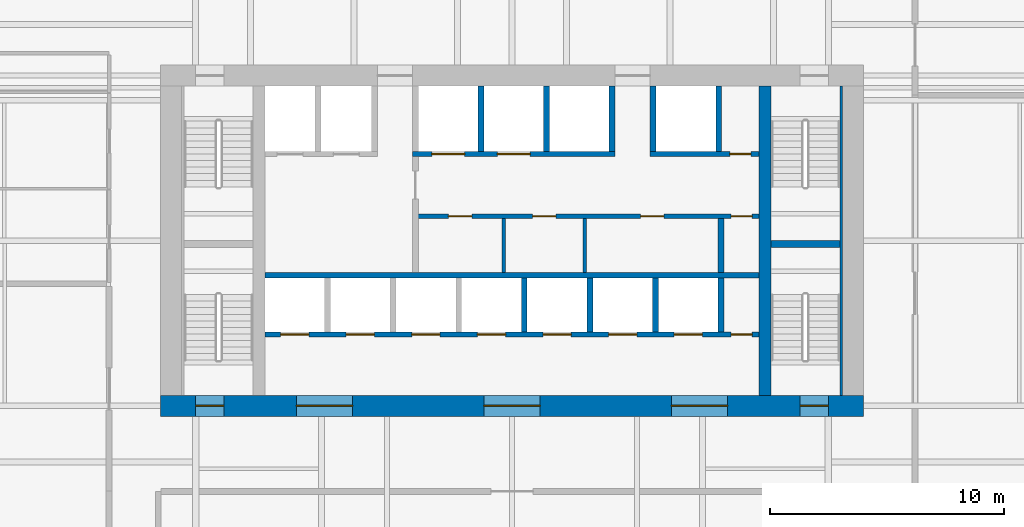
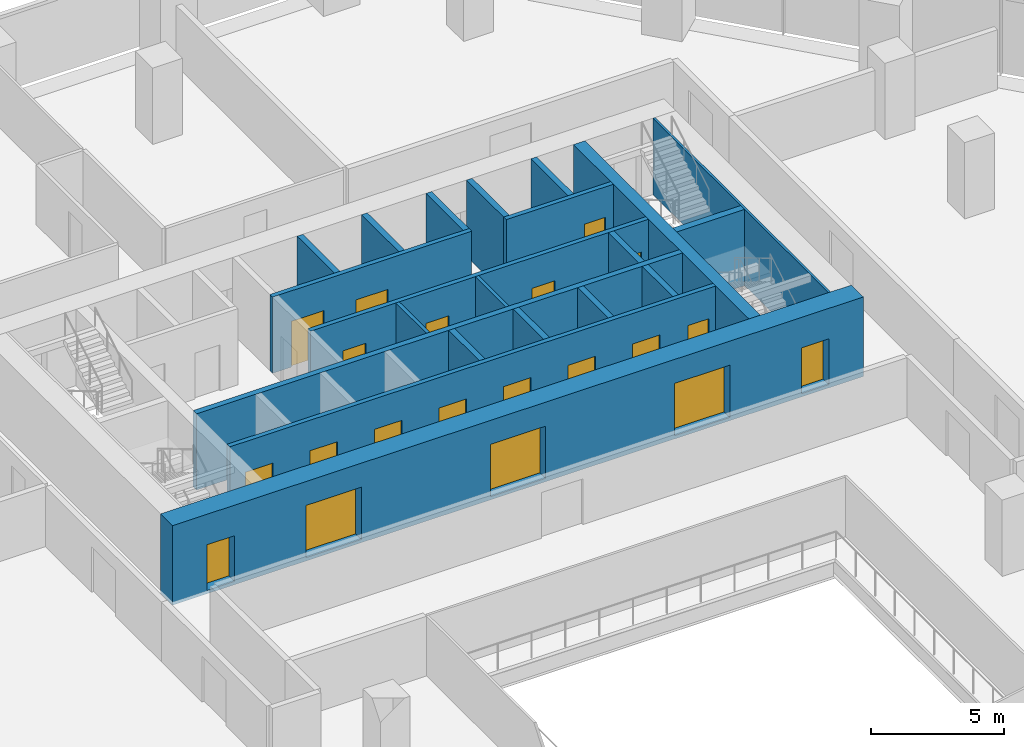
# One storey, part 15 of 19: 21 walls, 20 doors, 20 openings.
"""IFC4 building model written with IfcOpenShell, lengths in metres."""

from ifc_helpers import new_model, si_unit, direction, frame, frame_2d, origin, place, context, subcontext, project, spatial, rectangle, extrude, material, layer, layer_set, type_object, element, fill, save


model = new_model("IFC4")

# Units and contexts
model_context = context("Model", 3, precision=1e-05, world=origin(), true_north=direction((0.0, 1.0)))
body_context = subcontext(model_context, "Body", "Model", "MODEL_VIEW")
ifc_project = project(units=[si_unit("LENGTHUNIT", "METRE"), si_unit("AREAUNIT", "SQUARE_METRE"), si_unit("VOLUMEUNIT", "CUBIC_METRE"), si_unit("PLANEANGLEUNIT", "RADIAN"), si_unit("MASSUNIT", "GRAM", prefix="KILO")], contexts=[model_context])

# Site, building, storey
site_placement = place(None, origin())
site = spatial("IfcSite", under=ifc_project, at=site_placement, CompositionType="ELEMENT")
building_placement = place(site_placement, origin())
building = spatial("IfcBuilding", under=site, at=building_placement, Name="Isthmus Gate Tower", CompositionType="ELEMENT")
storey_placement = place(building_placement, frame((0.0, 0.0, 95.25)))
storey = spatial("IfcBuildingStorey", under=building, at=storey_placement, Name="L22", CompositionType="ELEMENT", Elevation=95.25)

# Wall
ifc_material_1 = material(Name="Concrete f'c 70 MPa", Category="concrete")
ifc_layer_1 = layer(ifc_material_1, 0.5)
ifc_layer_set_1 = layer_set([ifc_layer_1], Name="RC CORE SPINE WALL 500 F'C 70")
wall_type_1 = type_object("IfcWallType", Name="RC CORE SPINE WALL 500 F'C 70", PredefinedType="SOLIDWALL", material=ifc_layer_set_1)
wall_1_placement = place(storey_placement, frame((10.800048828125, 0.89990234375, -0.14990234375), z_axis=(0.0, 0.0, 1.0), x_axis=(0.0, 1.0, 0.0)))
element("IfcWall", 1, at=wall_1_placement, inside=storey, type_object=wall_type_1, Name="str-corewall-L22-SPE", PredefinedType="SOLIDWALL", context=body_context, shape_type="SweptSolid", body=[
    extrude(rectangle(XDim=13.2001953125, YDim=0.5, at=frame_2d((6.60009765625, 0.0))), origin(), (0.0, 0.0, 1.0), 3.64990234375),
])

# Wall, openings, doors
ifc_material_2 = material(Name="Concrete f'c 70 MPa", Category="concrete")
ifc_layer_2 = layer(ifc_material_2, 0.89990234375)
ifc_layer_set_2 = layer_set([ifc_layer_2], Name="RC CORE WALL 900 F'C 70")
wall_type_2 = type_object("IfcWallType", Name="RC CORE WALL 900 F'C 70", PredefinedType="SOLIDWALL", material=ifc_layer_set_2)
wall_2_placement = place(storey_placement, frame((-15.0, 0.449951171875, -0.14990234375), z_axis=(0.0, 0.0, 1.0), x_axis=(1.0, 0.0, 0.0)))
wall_2 = element("IfcWall", 2, at=wall_2_placement, inside=storey, type_object=wall_type_2, Name="str-corewall-L22-S", PredefinedType="SOLIDWALL", context=body_context, shape_type="SweptSolid", body=[
    extrude(rectangle(XDim=30.0, YDim=0.89990234375, at=frame_2d((15.0, 0.0))), origin(), (0.0, 0.0, 1.0), 3.64990234375),
])
opening_1_placement = place(wall_2_placement, frame((5.800048828125, 0.0, 0.14990234375)))
opening_1 = element("IfcOpeningElement", 3, at=opening_1_placement, cuts=wall_2, Name="Opening DC-A03-08", PredefinedType="OPENING", context=body_context, shape_type="SweptSolid", body=[
    extrude(rectangle(XDim=2.39990234375, YDim=2.39990234375, at=frame_2d((1.199951171875, 1.199951171875))), frame((0.0, 0.4599609375, 0.0), z_axis=(0.0, -1.0, 0.0), x_axis=(1.0, 0.0, 0.0)), (0.0, 0.0, 1.0), 0.919921875),
])
opening_2_placement = place(wall_2_placement, frame((13.800048828125, 0.0, 0.14990234375)))
opening_2 = element("IfcOpeningElement", 4, at=opening_2_placement, cuts=wall_2, Name="Opening DC-A03-09", PredefinedType="OPENING", context=body_context, shape_type="SweptSolid", body=[
    extrude(rectangle(XDim=2.39990234375, YDim=2.39990234375, at=frame_2d((1.199951171875, 1.199951171875))), frame((0.0, 0.4599609375, 0.0), z_axis=(0.0, -1.0, 0.0), x_axis=(1.0, 0.0, 0.0)), (0.0, 0.0, 1.0), 0.919921875),
])
opening_3_placement = place(wall_2_placement, frame((21.800048828125, 0.0, 0.14990234375)))
opening_3 = element("IfcOpeningElement", 5, at=opening_3_placement, cuts=wall_2, Name="Opening DC-A03-10", PredefinedType="OPENING", context=body_context, shape_type="SweptSolid", body=[
    extrude(rectangle(XDim=2.39990234375, YDim=2.39990234375, at=frame_2d((1.199951171875, 1.199951171875))), frame((0.0, 0.4599609375, 0.0), z_axis=(0.0, -1.0, 0.0), x_axis=(1.0, 0.0, 0.0)), (0.0, 0.0, 1.0), 0.919921875),
])
opening_4_placement = place(wall_2_placement, frame((1.5, 0.0, 0.14990234375)))
opening_4 = element("IfcOpeningElement", 6, at=opening_4_placement, cuts=wall_2, Name="Opening DC-A03-15", PredefinedType="OPENING", context=body_context, shape_type="SweptSolid", body=[
    extrude(rectangle(XDim=1.199951171875, YDim=2.10009765625, at=frame_2d((0.60009765625, 1.050048828125))), frame((0.0, 0.4599609375, 0.0), z_axis=(0.0, -1.0, 0.0), x_axis=(1.0, 0.0, 0.0)), (0.0, 0.0, 1.0), 0.919921875),
])
opening_5_placement = place(wall_2_placement, frame((27.300048828125, 0.0, 0.14990234375)))
opening_5 = element("IfcOpeningElement", 7, at=opening_5_placement, cuts=wall_2, Name="Opening DC-A03-16", PredefinedType="OPENING", context=body_context, shape_type="SweptSolid", body=[
    extrude(rectangle(XDim=1.199951171875, YDim=2.10009765625, at=frame_2d((0.60009765625, 1.050048828125))), frame((0.0, 0.4599609375, 0.0), z_axis=(0.0, -1.0, 0.0), x_axis=(1.0, 0.0, 0.0)), (0.0, 0.0, 1.0), 0.919921875),
])
ifc_material_3 = material(Name="Laminated safety glass in steel frame, fire-rated", Category="steel")
door_type_1 = type_object("IfcDoorType", Name="LOBBY ENTRANCE FIRE DOOR 2400 X 2400 60 MIN", OperationType="DOUBLE_DOOR_DOUBLE_SWING", PredefinedType="DOOR", material=ifc_material_3)
door_1_placement = place(opening_1_placement, origin())
door_1 = element("IfcDoor", 8, at=door_1_placement, inside=storey, type_object=door_type_1, Name="Lobby Entrance PS-W", OperationType="DOUBLE_DOOR_DOUBLE_SWING", OverallHeight=2.39990234375, OverallWidth=2.39990234375, PredefinedType="DOOR", context=body_context, shape_type="SweptSolid", body=[
    extrude(rectangle(XDim=2.39990234375, YDim=2.39990234375, at=frame_2d((1.199951171875, 1.199951171875))), frame((0.0, 0.02490234375, 0.0), z_axis=(0.0, -1.0, 0.0), x_axis=(1.0, 0.0, 0.0)), (0.0, 0.0, 1.0), 0.050048828125),
])
fill(opening_1, door_1)
door_2_placement = place(opening_2_placement, origin())
door_2 = element("IfcDoor", 9, at=door_2_placement, inside=storey, type_object=door_type_1, Name="Lobby Entrance PS-C", OperationType="DOUBLE_DOOR_DOUBLE_SWING", OverallHeight=2.39990234375, OverallWidth=2.39990234375, PredefinedType="DOOR", context=body_context, shape_type="SweptSolid", body=[
    extrude(rectangle(XDim=2.39990234375, YDim=2.39990234375, at=frame_2d((1.199951171875, 1.199951171875))), frame((0.0, 0.02490234375, 0.0), z_axis=(0.0, -1.0, 0.0), x_axis=(1.0, 0.0, 0.0)), (0.0, 0.0, 1.0), 0.050048828125),
])
fill(opening_2, door_2)
door_3_placement = place(opening_3_placement, origin())
door_3 = element("IfcDoor", 10, at=door_3_placement, inside=storey, type_object=door_type_1, Name="Lobby Entrance PS-E", OperationType="DOUBLE_DOOR_DOUBLE_SWING", OverallHeight=2.39990234375, OverallWidth=2.39990234375, PredefinedType="DOOR", context=body_context, shape_type="SweptSolid", body=[
    extrude(rectangle(XDim=2.39990234375, YDim=2.39990234375, at=frame_2d((1.199951171875, 1.199951171875))), frame((0.0, 0.02490234375, 0.0), z_axis=(0.0, -1.0, 0.0), x_axis=(1.0, 0.0, 0.0)), (0.0, 0.0, 1.0), 0.050048828125),
])
fill(opening_3, door_3)
ifc_material_4 = material(Name="Steel door leaf, fire-rated", Category="steel")
door_type_2 = type_object("IfcDoorType", Name="STAIR FIRE DOOR 1200 X 2100 90 MIN", OperationType="SINGLE_SWING_LEFT", PredefinedType="DOOR", material=ifc_material_4)
door_4_placement = place(opening_4_placement, origin())
door_4 = element("IfcDoor", 11, at=door_4_placement, inside=storey, type_object=door_type_2, Name="Exit Stair 7 Door", OperationType="SINGLE_SWING_LEFT", OverallHeight=2.10009765625, OverallWidth=1.199951171875, PredefinedType="DOOR", context=body_context, shape_type="SweptSolid", body=[
    extrude(rectangle(XDim=1.199951171875, YDim=2.10009765625, at=frame_2d((0.60009765625, 1.050048828125))), frame((0.0, 0.02490234375, 0.0), z_axis=(0.0, -1.0, 0.0), x_axis=(1.0, 0.0, 0.0)), (0.0, 0.0, 1.0), 0.050048828125),
])
fill(opening_4, door_4)
door_5_placement = place(opening_5_placement, origin())
door_5 = element("IfcDoor", 12, at=door_5_placement, inside=storey, type_object=door_type_2, Name="Exit Stair 8 Door", OperationType="SINGLE_SWING_RIGHT", OverallHeight=2.10009765625, OverallWidth=1.199951171875, PredefinedType="DOOR", context=body_context, shape_type="SweptSolid", body=[
    extrude(rectangle(XDim=1.199951171875, YDim=2.10009765625, at=frame_2d((0.60009765625, 1.050048828125))), frame((0.0, 0.02490234375, 0.0), z_axis=(0.0, -1.0, 0.0), x_axis=(1.0, 0.0, 0.0)), (0.0, 0.0, 1.0), 0.050048828125),
])
fill(opening_5, door_5)

# Walls
ifc_material_5 = material(Name="Gypsum board on steel studs, fire-rated", Category="steel")
ifc_layer_3 = layer(ifc_material_5, 0.14990234375)
ifc_layer_set_3 = layer_set([ifc_layer_3], Name="ROOM PARTITION 150 60 MIN")
wall_type_3 = type_object("IfcWallType", Name="ROOM PARTITION 150 60 MIN", PredefinedType="PARTITIONING", material=ifc_layer_set_3)
for number, where, z_axis, x_axis, name in (
    (13, (-0.35009765625, 6.14990234375, 0.0), (0.0, 0.0, 1.0), (0.0, 1.0, 0.0), "L22 ROOM PARTITION 150 60 MIN"),
    (14, (3.10009765625, 6.14990234375, 0.0), (0.0, 0.0, 1.0), (0.0, 1.0, 0.0), "L22 ROOM PARTITION 150 60 MIN"),
):
    element("IfcWall", number, at=place(storey_placement, frame(where, z_axis=z_axis, x_axis=x_axis)), inside=storey, type_object=wall_type_3, Name=name, PredefinedType="PARTITIONING", context=body_context, shape_type="SweptSolid", body=[
        extrude(rectangle(XDim=2.300048828125, YDim=0.14990234375, at=frame_2d((1.14990234375, 0.0))), origin(), (0.0, 0.0, 1.0), 3.5),
    ])

# Wall, openings, doors
ifc_material_6 = material(Name="Fire-rated blockwork masonry, 15 MPa", Category="masonry")
ifc_layer_4 = layer(ifc_material_6, 0.199951171875)
ifc_layer_set_4 = layer_set([ifc_layer_4], Name="SHAFT FRONT WALL 200 120 MIN")
wall_type_4 = type_object("IfcWallType", Name="SHAFT FRONT WALL 200 120 MIN", PredefinedType="PARTITIONING", material=ifc_layer_set_4)
wall_3_placement = place(storey_placement, frame((-10.550048828125, 3.5, 0.0), z_axis=(0.0, 0.0, 1.0), x_axis=(1.0, 0.0, 0.0)))
wall_3 = element("IfcWall", 15, at=wall_3_placement, inside=storey, type_object=wall_type_4, Name="L22 SHAFT FRONT WALL 200 120 MIN", PredefinedType="PARTITIONING", context=body_context, shape_type="SweptSolid", body=[
    extrude(rectangle(XDim=21.10009765625, YDim=0.199951171875, at=frame_2d((10.550048828125, 0.0))), origin(), (0.0, 0.0, 1.0), 3.5),
])
opening_6_placement = place(wall_3_placement, frame((0.675048828125, 0.0, 0.0)))
opening_6 = element("IfcOpeningElement", 16, at=opening_6_placement, cuts=wall_3, Name="Opening LD-LA1", PredefinedType="OPENING", context=body_context, shape_type="SweptSolid", body=[
    extrude(rectangle(XDim=1.199951171875, YDim=2.10009765625, at=frame_2d((0.60009765625, 1.050048828125))), frame((0.0, 0.10986328125, 0.0), z_axis=(0.0, -1.0, 0.0), x_axis=(1.0, 0.0, 0.0)), (0.0, 0.0, 1.0), 0.219970703125),
])
opening_7_placement = place(wall_3_placement, frame((3.47509765625, 0.0, 0.0)))
opening_7 = element("IfcOpeningElement", 17, at=opening_7_placement, cuts=wall_3, Name="Opening LD-LA2", PredefinedType="OPENING", context=body_context, shape_type="SweptSolid", body=[
    extrude(rectangle(XDim=1.199951171875, YDim=2.10009765625, at=frame_2d((0.60009765625, 1.050048828125))), frame((0.0, 0.10986328125, 0.0), z_axis=(0.0, -1.0, 0.0), x_axis=(1.0, 0.0, 0.0)), (0.0, 0.0, 1.0), 0.219970703125),
])
opening_8_placement = place(wall_3_placement, frame((6.27490234375, 0.0, 0.0)))
opening_8 = element("IfcOpeningElement", 18, at=opening_8_placement, cuts=wall_3, Name="Opening LD-LA3", PredefinedType="OPENING", context=body_context, shape_type="SweptSolid", body=[
    extrude(rectangle(XDim=1.199951171875, YDim=2.10009765625, at=frame_2d((0.60009765625, 1.050048828125))), frame((0.0, 0.10986328125, 0.0), z_axis=(0.0, -1.0, 0.0), x_axis=(1.0, 0.0, 0.0)), (0.0, 0.0, 1.0), 0.219970703125),
])
opening_9_placement = place(wall_3_placement, frame((9.074951171875, 0.0, 0.0)))
opening_9 = element("IfcOpeningElement", 19, at=opening_9_placement, cuts=wall_3, Name="Opening LD-LA4", PredefinedType="OPENING", context=body_context, shape_type="SweptSolid", body=[
    extrude(rectangle(XDim=1.199951171875, YDim=2.10009765625, at=frame_2d((0.60009765625, 1.050048828125))), frame((0.0, 0.10986328125, 0.0), z_axis=(0.0, -1.0, 0.0), x_axis=(1.0, 0.0, 0.0)), (0.0, 0.0, 1.0), 0.219970703125),
])
opening_10_placement = place(wall_3_placement, frame((11.875, 0.0, 0.0)))
opening_10 = element("IfcOpeningElement", 20, at=opening_10_placement, cuts=wall_3, Name="Opening LD-LA5", PredefinedType="OPENING", context=body_context, shape_type="SweptSolid", body=[
    extrude(rectangle(XDim=1.199951171875, YDim=2.10009765625, at=frame_2d((0.60009765625, 1.050048828125))), frame((0.0, 0.10986328125, 0.0), z_axis=(0.0, -1.0, 0.0), x_axis=(1.0, 0.0, 0.0)), (0.0, 0.0, 1.0), 0.219970703125),
])
opening_11_placement = place(wall_3_placement, frame((14.675048828125, 0.0, 0.0)))
opening_11 = element("IfcOpeningElement", 21, at=opening_11_placement, cuts=wall_3, Name="Opening LD-LA6", PredefinedType="OPENING", context=body_context, shape_type="SweptSolid", body=[
    extrude(rectangle(XDim=1.199951171875, YDim=2.10009765625, at=frame_2d((0.60009765625, 1.050048828125))), frame((0.0, 0.10986328125, 0.0), z_axis=(0.0, -1.0, 0.0), x_axis=(1.0, 0.0, 0.0)), (0.0, 0.0, 1.0), 0.219970703125),
])
opening_12_placement = place(wall_3_placement, frame((17.47509765625, 0.0, 0.0)))
opening_12 = element("IfcOpeningElement", 22, at=opening_12_placement, cuts=wall_3, Name="Opening LD-LA7", PredefinedType="OPENING", context=body_context, shape_type="SweptSolid", body=[
    extrude(rectangle(XDim=1.199951171875, YDim=2.10009765625, at=frame_2d((0.60009765625, 1.050048828125))), frame((0.0, 0.10986328125, 0.0), z_axis=(0.0, -1.0, 0.0), x_axis=(1.0, 0.0, 0.0)), (0.0, 0.0, 1.0), 0.219970703125),
])
opening_13_placement = place(wall_3_placement, frame((19.89990234375, 0.0, 0.0)))
opening_13 = element("IfcOpeningElement", 23, at=opening_13_placement, cuts=wall_3, Name="Opening DC-A03-02", PredefinedType="OPENING", context=body_context, shape_type="SweptSolid", body=[
    extrude(rectangle(XDim=0.89990234375, YDim=2.10009765625, at=frame_2d((0.449951171875, 1.050048828125))), frame((0.0, 0.10986328125, 0.0), z_axis=(0.0, -1.0, 0.0), x_axis=(1.0, 0.0, 0.0)), (0.0, 0.0, 1.0), 0.219970703125),
])
ifc_material_7 = material(Name="Stainless steel sliding leaf", Category="steel")
door_type_3 = type_object("IfcDoorType", Name="LIFT LANDING FIRE DOOR 1200 X 2100 90 MIN", OperationType="DOUBLE_DOOR_SLIDING", PredefinedType="DOOR", material=ifc_material_7)
door_6_placement = place(opening_6_placement, origin())
door_6 = element("IfcDoor", 24, at=door_6_placement, inside=storey, type_object=door_type_3, Name="Lift Landing Door LA1", OperationType="DOUBLE_DOOR_SLIDING", OverallHeight=2.10009765625, OverallWidth=1.199951171875, PredefinedType="DOOR", context=body_context, shape_type="SweptSolid", body=[
    extrude(rectangle(XDim=1.199951171875, YDim=2.10009765625, at=frame_2d((0.60009765625, 1.050048828125))), frame((0.0, 0.02490234375, 0.0), z_axis=(0.0, -1.0, 0.0), x_axis=(1.0, 0.0, 0.0)), (0.0, 0.0, 1.0), 0.050048828125),
])
fill(opening_6, door_6)
door_7_placement = place(opening_7_placement, origin())
door_7 = element("IfcDoor", 25, at=door_7_placement, inside=storey, type_object=door_type_3, Name="Lift Landing Door LA2", OperationType="DOUBLE_DOOR_SLIDING", OverallHeight=2.10009765625, OverallWidth=1.199951171875, PredefinedType="DOOR", context=body_context, shape_type="SweptSolid", body=[
    extrude(rectangle(XDim=1.199951171875, YDim=2.10009765625, at=frame_2d((0.60009765625, 1.050048828125))), frame((0.0, 0.02490234375, 0.0), z_axis=(0.0, -1.0, 0.0), x_axis=(1.0, 0.0, 0.0)), (0.0, 0.0, 1.0), 0.050048828125),
])
fill(opening_7, door_7)
door_8_placement = place(opening_8_placement, origin())
door_8 = element("IfcDoor", 26, at=door_8_placement, inside=storey, type_object=door_type_3, Name="Lift Landing Door LA3", OperationType="DOUBLE_DOOR_SLIDING", OverallHeight=2.10009765625, OverallWidth=1.199951171875, PredefinedType="DOOR", context=body_context, shape_type="SweptSolid", body=[
    extrude(rectangle(XDim=1.199951171875, YDim=2.10009765625, at=frame_2d((0.60009765625, 1.050048828125))), frame((0.0, 0.02490234375, 0.0), z_axis=(0.0, -1.0, 0.0), x_axis=(1.0, 0.0, 0.0)), (0.0, 0.0, 1.0), 0.050048828125),
])
fill(opening_8, door_8)
door_9_placement = place(opening_9_placement, origin())
door_9 = element("IfcDoor", 27, at=door_9_placement, inside=storey, type_object=door_type_3, Name="Lift Landing Door LA4", OperationType="DOUBLE_DOOR_SLIDING", OverallHeight=2.10009765625, OverallWidth=1.199951171875, PredefinedType="DOOR", context=body_context, shape_type="SweptSolid", body=[
    extrude(rectangle(XDim=1.199951171875, YDim=2.10009765625, at=frame_2d((0.60009765625, 1.050048828125))), frame((0.0, 0.02490234375, 0.0), z_axis=(0.0, -1.0, 0.0), x_axis=(1.0, 0.0, 0.0)), (0.0, 0.0, 1.0), 0.050048828125),
])
fill(opening_9, door_9)
door_10_placement = place(opening_10_placement, origin())
door_10 = element("IfcDoor", 28, at=door_10_placement, inside=storey, type_object=door_type_3, Name="Lift Landing Door LA5", OperationType="DOUBLE_DOOR_SLIDING", OverallHeight=2.10009765625, OverallWidth=1.199951171875, PredefinedType="DOOR", context=body_context, shape_type="SweptSolid", body=[
    extrude(rectangle(XDim=1.199951171875, YDim=2.10009765625, at=frame_2d((0.60009765625, 1.050048828125))), frame((0.0, 0.02490234375, 0.0), z_axis=(0.0, -1.0, 0.0), x_axis=(1.0, 0.0, 0.0)), (0.0, 0.0, 1.0), 0.050048828125),
])
fill(opening_10, door_10)
door_11_placement = place(opening_11_placement, origin())
door_11 = element("IfcDoor", 29, at=door_11_placement, inside=storey, type_object=door_type_3, Name="Lift Landing Door LA6", OperationType="DOUBLE_DOOR_SLIDING", OverallHeight=2.10009765625, OverallWidth=1.199951171875, PredefinedType="DOOR", context=body_context, shape_type="SweptSolid", body=[
    extrude(rectangle(XDim=1.199951171875, YDim=2.10009765625, at=frame_2d((0.60009765625, 1.050048828125))), frame((0.0, 0.02490234375, 0.0), z_axis=(0.0, -1.0, 0.0), x_axis=(1.0, 0.0, 0.0)), (0.0, 0.0, 1.0), 0.050048828125),
])
fill(opening_11, door_11)
door_12_placement = place(opening_12_placement, origin())
door_12 = element("IfcDoor", 30, at=door_12_placement, inside=storey, type_object=door_type_3, Name="Lift Landing Door LA7", OperationType="DOUBLE_DOOR_SLIDING", OverallHeight=2.10009765625, OverallWidth=1.199951171875, PredefinedType="DOOR", context=body_context, shape_type="SweptSolid", body=[
    extrude(rectangle(XDim=1.199951171875, YDim=2.10009765625, at=frame_2d((0.60009765625, 1.050048828125))), frame((0.0, 0.02490234375, 0.0), z_axis=(0.0, -1.0, 0.0), x_axis=(1.0, 0.0, 0.0)), (0.0, 0.0, 1.0), 0.050048828125),
])
fill(opening_12, door_12)
ifc_material_8 = material(Name="Steel door leaf, fire-rated", Category="steel")
door_type_4 = type_object("IfcDoorType", Name="RISER FIRE DOOR 900 X 2100 90 MIN", OperationType="SINGLE_SWING_LEFT", PredefinedType="DOOR", material=ifc_material_8)
door_13_placement = place(opening_13_placement, origin())
door_13 = element("IfcDoor", 31, at=door_13_placement, inside=storey, type_object=door_type_4, Name="Riser Door", OperationType="SINGLE_SWING_RIGHT", OverallHeight=2.10009765625, OverallWidth=0.89990234375, PredefinedType="DOOR", context=body_context, shape_type="SweptSolid", body=[
    extrude(rectangle(XDim=0.89990234375, YDim=2.10009765625, at=frame_2d((0.449951171875, 1.050048828125))), frame((0.0, 0.02490234375, 0.0), z_axis=(0.0, -1.0, 0.0), x_axis=(1.0, 0.0, 0.0)), (0.0, 0.0, 1.0), 0.050048828125),
])
fill(opening_13, door_13)

wall_4_placement = place(storey_placement, frame((-4.125, 8.550048828125, 0.0), z_axis=(0.0, 0.0, 1.0), x_axis=(1.0, 0.0, 0.0)))
wall_4 = element("IfcWall", 32, at=wall_4_placement, inside=storey, type_object=wall_type_4, Name="L22 SHAFT FRONT WALL 200 120 MIN", PredefinedType="PARTITIONING", context=body_context, shape_type="SweptSolid", body=[
    extrude(rectangle(XDim=14.675048828125, YDim=0.199951171875, at=frame_2d((7.33740234375, 0.0))), origin(), (0.0, 0.0, 1.0), 3.5),
])
opening_14_placement = place(wall_4_placement, frame((1.41259765625, 0.0, 0.0)))
opening_14 = element("IfcOpeningElement", 33, at=opening_14_placement, cuts=wall_4, Name="Opening DC-A03-03", PredefinedType="OPENING", context=body_context, shape_type="SweptSolid", body=[
    extrude(rectangle(XDim=1.0, YDim=2.10009765625, at=frame_2d((0.5, 1.050048828125))), frame((0.0, 0.10986328125, 0.0), z_axis=(0.0, -1.0, 0.0), x_axis=(1.0, 0.0, 0.0)), (0.0, 0.0, 1.0), 0.219970703125),
])
opening_15_placement = place(wall_4_placement, frame((5.0, 0.0, 0.0)))
opening_15 = element("IfcOpeningElement", 34, at=opening_15_placement, cuts=wall_4, Name="Opening DC-A03-04", PredefinedType="OPENING", context=body_context, shape_type="SweptSolid", body=[
    extrude(rectangle(XDim=1.0, YDim=2.10009765625, at=frame_2d((0.5, 1.050048828125))), frame((0.0, 0.10986328125, 0.0), z_axis=(0.0, -1.0, 0.0), x_axis=(1.0, 0.0, 0.0)), (0.0, 0.0, 1.0), 0.219970703125),
])
opening_16_placement = place(wall_4_placement, frame((9.612548828125, 0.0, 0.0)))
opening_16 = element("IfcOpeningElement", 35, at=opening_16_placement, cuts=wall_4, Name="Opening DC-A03-05", PredefinedType="OPENING", context=body_context, shape_type="SweptSolid", body=[
    extrude(rectangle(XDim=1.0, YDim=2.10009765625, at=frame_2d((0.5, 1.050048828125))), frame((0.0, 0.10986328125, 0.0), z_axis=(0.0, -1.0, 0.0), x_axis=(1.0, 0.0, 0.0)), (0.0, 0.0, 1.0), 0.219970703125),
])
opening_17_placement = place(wall_4_placement, frame((13.47509765625, 0.0, 0.0)))
opening_17 = element("IfcOpeningElement", 36, at=opening_17_placement, cuts=wall_4, Name="Opening DC-A03-06", PredefinedType="OPENING", context=body_context, shape_type="SweptSolid", body=[
    extrude(rectangle(XDim=0.89990234375, YDim=2.10009765625, at=frame_2d((0.449951171875, 1.050048828125))), frame((0.0, 0.10986328125, 0.0), z_axis=(0.0, -1.0, 0.0), x_axis=(1.0, 0.0, 0.0)), (0.0, 0.0, 1.0), 0.219970703125),
])
ifc_material_9 = material(Name="Steel door leaf, fire-rated", Category="steel")
door_type_5 = type_object("IfcDoorType", Name="FIRE DOOR 1000 X 2100 60 MIN", OperationType="SINGLE_SWING_LEFT", PredefinedType="DOOR", material=ifc_material_9)
door_14_placement = place(opening_14_placement, origin())
door_14 = element("IfcDoor", 37, at=door_14_placement, inside=storey, type_object=door_type_5, Name="WC Men Door", OperationType="SINGLE_SWING_LEFT", OverallHeight=2.10009765625, OverallWidth=1.0, PredefinedType="DOOR", context=body_context, shape_type="SweptSolid", body=[
    extrude(rectangle(XDim=1.0, YDim=2.10009765625, at=frame_2d((0.5, 1.050048828125))), frame((0.0, 0.02490234375, 0.0), z_axis=(0.0, -1.0, 0.0), x_axis=(1.0, 0.0, 0.0)), (0.0, 0.0, 1.0), 0.050048828125),
])
fill(opening_14, door_14)
door_15_placement = place(opening_15_placement, origin())
door_15 = element("IfcDoor", 38, at=door_15_placement, inside=storey, type_object=door_type_5, Name="WC Women Door", OperationType="SINGLE_SWING_RIGHT", OverallHeight=2.10009765625, OverallWidth=1.0, PredefinedType="DOOR", context=body_context, shape_type="SweptSolid", body=[
    extrude(rectangle(XDim=1.0, YDim=2.10009765625, at=frame_2d((0.5, 1.050048828125))), frame((0.0, 0.02490234375, 0.0), z_axis=(0.0, -1.0, 0.0), x_axis=(1.0, 0.0, 0.0)), (0.0, 0.0, 1.0), 0.050048828125),
])
fill(opening_15, door_15)
door_16_placement = place(opening_16_placement, origin())
door_16 = element("IfcDoor", 39, at=door_16_placement, inside=storey, type_object=door_type_5, Name="Accessible WC Door", OperationType="SINGLE_SWING_LEFT", OverallHeight=2.10009765625, OverallWidth=1.0, PredefinedType="DOOR", context=body_context, shape_type="SweptSolid", body=[
    extrude(rectangle(XDim=1.0, YDim=2.10009765625, at=frame_2d((0.5, 1.050048828125))), frame((0.0, 0.02490234375, 0.0), z_axis=(0.0, -1.0, 0.0), x_axis=(1.0, 0.0, 0.0)), (0.0, 0.0, 1.0), 0.050048828125),
])
fill(opening_16, door_16)
door_17_placement = place(opening_17_placement, origin())
door_17 = element("IfcDoor", 40, at=door_17_placement, inside=storey, type_object=door_type_4, Name="Riser Door", OperationType="SINGLE_SWING_RIGHT", OverallHeight=2.10009765625, OverallWidth=0.89990234375, PredefinedType="DOOR", context=body_context, shape_type="SweptSolid", body=[
    extrude(rectangle(XDim=0.89990234375, YDim=2.10009765625, at=frame_2d((0.449951171875, 1.050048828125))), frame((0.0, 0.02490234375, 0.0), z_axis=(0.0, -1.0, 0.0), x_axis=(1.0, 0.0, 0.0)), (0.0, 0.0, 1.0), 0.050048828125),
])
fill(opening_17, door_17)

wall_5_placement = place(storey_placement, frame((-4.25, 11.199951171875, 0.0), z_axis=(0.0, 0.0, 1.0), x_axis=(1.0, 0.0, 0.0)))
wall_5 = element("IfcWall", 41, at=wall_5_placement, inside=storey, type_object=wall_type_4, Name="L22 SHAFT FRONT WALL 200 120 MIN", PredefinedType="PARTITIONING", context=body_context, shape_type="SweptSolid", body=[
    extrude(rectangle(XDim=8.64990234375, YDim=0.199951171875, at=frame_2d((4.324951171875, 0.0))), origin(), (0.0, 0.0, 1.0), 3.5),
])
opening_18_placement = place(wall_5_placement, frame((0.824951171875, 0.0, 0.0)))
opening_18 = element("IfcOpeningElement", 42, at=opening_18_placement, cuts=wall_5, Name="Opening LD-LV1", PredefinedType="OPENING", context=body_context, shape_type="SweptSolid", body=[
    extrude(rectangle(XDim=1.39990234375, YDim=2.10009765625, at=frame_2d((0.699951171875, 1.050048828125))), frame((0.0, 0.10986328125, 0.0), z_axis=(0.0, -1.0, 0.0), x_axis=(1.0, 0.0, 0.0)), (0.0, 0.0, 1.0), 0.219970703125),
])
opening_19_placement = place(wall_5_placement, frame((3.625, 0.0, 0.0)))
opening_19 = element("IfcOpeningElement", 43, at=opening_19_placement, cuts=wall_5, Name="Opening LD-LV2", PredefinedType="OPENING", context=body_context, shape_type="SweptSolid", body=[
    extrude(rectangle(XDim=1.39990234375, YDim=2.10009765625, at=frame_2d((0.699951171875, 1.050048828125))), frame((0.0, 0.10986328125, 0.0), z_axis=(0.0, -1.0, 0.0), x_axis=(1.0, 0.0, 0.0)), (0.0, 0.0, 1.0), 0.219970703125),
])
ifc_material_10 = material(Name="Stainless steel sliding leaf", Category="steel")
door_type_6 = type_object("IfcDoorType", Name="LIFT LANDING FIRE DOOR 1400 X 2100 90 MIN", OperationType="DOUBLE_DOOR_SLIDING", PredefinedType="DOOR", material=ifc_material_10)
door_18_placement = place(opening_18_placement, origin())
door_18 = element("IfcDoor", 44, at=door_18_placement, inside=storey, type_object=door_type_6, Name="Lift Landing Door LV1", OperationType="DOUBLE_DOOR_SLIDING", OverallHeight=2.10009765625, OverallWidth=1.39990234375, PredefinedType="DOOR", context=body_context, shape_type="SweptSolid", body=[
    extrude(rectangle(XDim=1.39990234375, YDim=2.10009765625, at=frame_2d((0.699951171875, 1.050048828125))), frame((0.0, 0.02490234375, 0.0), z_axis=(0.0, -1.0, 0.0), x_axis=(1.0, 0.0, 0.0)), (0.0, 0.0, 1.0), 0.050048828125),
])
fill(opening_18, door_18)
door_19_placement = place(opening_19_placement, origin())
door_19 = element("IfcDoor", 45, at=door_19_placement, inside=storey, type_object=door_type_6, Name="Lift Landing Door LV2", OperationType="DOUBLE_DOOR_SLIDING", OverallHeight=2.10009765625, OverallWidth=1.39990234375, PredefinedType="DOOR", context=body_context, shape_type="SweptSolid", body=[
    extrude(rectangle(XDim=1.39990234375, YDim=2.10009765625, at=frame_2d((0.699951171875, 1.050048828125))), frame((0.0, 0.02490234375, 0.0), z_axis=(0.0, -1.0, 0.0), x_axis=(1.0, 0.0, 0.0)), (0.0, 0.0, 1.0), 0.050048828125),
])
fill(opening_19, door_19)

# Wall, opening, door
wall_6_placement = place(storey_placement, frame((5.89990234375, 11.199951171875, 0.0), z_axis=(0.0, 0.0, 1.0), x_axis=(1.0, 0.0, 0.0)))
wall_6 = element("IfcWall", 46, at=wall_6_placement, inside=storey, type_object=wall_type_4, Name="L22 SHAFT FRONT WALL 200 120 MIN", PredefinedType="PARTITIONING", context=body_context, shape_type="SweptSolid", body=[
    extrude(rectangle(XDim=4.650146484375, YDim=0.199951171875, at=frame_2d((2.3251953125, 0.0))), origin(), (0.0, 0.0, 1.0), 3.5),
])
opening_20_placement = place(wall_6_placement, frame((3.39990234375, 0.0, 0.0)))
opening_20 = element("IfcOpeningElement", 47, at=opening_20_placement, cuts=wall_6, Name="Opening DC-A03-07", PredefinedType="OPENING", context=body_context, shape_type="SweptSolid", body=[
    extrude(rectangle(XDim=0.89990234375, YDim=2.10009765625, at=frame_2d((0.449951171875, 1.050048828125))), frame((0.0, 0.10986328125, 0.0), z_axis=(0.0, -1.0, 0.0), x_axis=(1.0, 0.0, 0.0)), (0.0, 0.0, 1.0), 0.219970703125),
])
door_20_placement = place(opening_20_placement, origin())
door_20 = element("IfcDoor", 48, at=door_20_placement, inside=storey, type_object=door_type_4, Name="Riser Door", OperationType="SINGLE_SWING_LEFT", OverallHeight=2.10009765625, OverallWidth=0.89990234375, PredefinedType="DOOR", context=body_context, shape_type="SweptSolid", body=[
    extrude(rectangle(XDim=0.89990234375, YDim=2.10009765625, at=frame_2d((0.449951171875, 1.050048828125))), frame((0.0, 0.02490234375, 0.0), z_axis=(0.0, -1.0, 0.0), x_axis=(1.0, 0.0, 0.0)), (0.0, 0.0, 1.0), 0.050048828125),
])
fill(opening_20, door_20)

# Walls
ifc_material_11 = material(Name="Fire-rated blockwork masonry, 15 MPa", Category="masonry")
ifc_layer_5 = layer(ifc_material_11, 0.25)
ifc_layer_set_5 = layer_set([ifc_layer_5], Name="SHAFT WALL 250 120 MIN")
wall_type_5 = type_object("IfcWallType", Name="SHAFT WALL 250 120 MIN", PredefinedType="PARTITIONING", material=ifc_layer_set_5)
wall_7_placement = place(storey_placement, frame((-10.550048828125, 6.02490234375, 0.0), z_axis=(0.0, 0.0, 1.0), x_axis=(1.0, 0.0, 0.0)))
element("IfcWall", 49, at=wall_7_placement, inside=storey, type_object=wall_type_5, Name="L22 SHAFT WALL 250 120 MIN", PredefinedType="PARTITIONING", context=body_context, shape_type="SweptSolid", body=[
    extrude(rectangle(XDim=21.10009765625, YDim=0.25, at=frame_2d((10.550048828125, 0.0))), origin(), (0.0, 0.0, 1.0), 3.5),
])
for number, where, z_axis, x_axis, name in (
    (50, (0.52490234375, 3.60009765625, 0.0), (0.0, 0.0, 1.0), (0.0, 1.0, 0.0), "L22 SHAFT WALL 250 120 MIN"),
    (51, (3.324951171875, 3.60009765625, 0.0), (0.0, 0.0, 1.0), (0.0, 1.0, 0.0), "L22 SHAFT WALL 250 120 MIN"),
    (52, (6.125, 3.60009765625, 0.0), (0.0, 0.0, 1.0), (0.0, 1.0, 0.0), "L22 SHAFT WALL 250 120 MIN"),
    (53, (8.925048828125, 3.60009765625, 0.0), (0.0, 0.0, 1.0), (0.0, 1.0, 0.0), "L22 SHAFT WALL 250 120 MIN"),
):
    element("IfcWall", number, at=place(storey_placement, frame(where, z_axis=z_axis, x_axis=x_axis)), inside=storey, type_object=wall_type_5, Name=name, PredefinedType="PARTITIONING", context=body_context, shape_type="SweptSolid", body=[
        extrude(rectangle(XDim=2.2998046875, YDim=0.25, at=frame_2d((1.14990234375, 0.0))), origin(), (0.0, 0.0, 1.0), 3.5),
    ])
wall_8_placement = place(storey_placement, frame((8.925048828125, 6.14990234375, 0.0), z_axis=(0.0, 0.0, 1.0), x_axis=(0.0, 1.0, 0.0)))
element("IfcWall", 54, at=wall_8_placement, inside=storey, type_object=wall_type_5, Name="L22 SHAFT WALL 250 120 MIN", PredefinedType="PARTITIONING", context=body_context, shape_type="SweptSolid", body=[
    extrude(rectangle(XDim=2.300048828125, YDim=0.25, at=frame_2d((1.14990234375, 0.0))), origin(), (0.0, 0.0, 1.0), 3.5),
])
for number, where, z_axis, x_axis, name in (
    (55, (-1.324951171875, 11.300048828125, 0.0), (0.0, 0.0, 1.0), (0.0, 1.0, 0.0), "L22 SHAFT WALL 250 120 MIN"),
    (56, (1.47509765625, 11.300048828125, 0.0), (0.0, 0.0, 1.0), (0.0, 1.0, 0.0), "L22 SHAFT WALL 250 120 MIN"),
    (57, (4.27490234375, 11.300048828125, 0.0), (0.0, 0.0, 1.0), (0.0, 1.0, 0.0), "L22 SHAFT WALL 250 120 MIN"),
    (58, (6.02490234375, 11.300048828125, 0.0), (0.0, 0.0, 1.0), (0.0, 1.0, 0.0), "L22 SHAFT WALL 250 120 MIN"),
    (59, (8.824951171875, 11.300048828125, 0.0), (0.0, 0.0, 1.0), (0.0, 1.0, 0.0), "L22 SHAFT WALL 250 120 MIN"),
):
    element("IfcWall", number, at=place(storey_placement, frame(where, z_axis=z_axis, x_axis=x_axis)), inside=storey, type_object=wall_type_5, Name=name, PredefinedType="PARTITIONING", context=body_context, shape_type="SweptSolid", body=[
        extrude(rectangle(XDim=2.800048828125, YDim=0.25, at=frame_2d((1.39990234375, 0.0))), origin(), (0.0, 0.0, 1.0), 3.5),
    ])
ifc_material_12 = material(Name="Concrete f'c 40 MPa", Category="concrete")
ifc_layer_6 = layer(ifc_material_12, 0.10009765625)
ifc_layer_set_6 = layer_set([ifc_layer_6], Name="STAIR ENCLOSURE WALL 100 180 MIN")
wall_type_6 = type_object("IfcWallType", Name="STAIR ENCLOSURE WALL 100 180 MIN", PredefinedType="SOLIDWALL", material=ifc_layer_set_6)
wall_9_placement = place(storey_placement, frame((14.050048828125, 0.89990234375, 0.0), z_axis=(0.0, 0.0, 1.0), x_axis=(0.0, 1.0, 0.0)))
element("IfcWall", 60, at=wall_9_placement, inside=storey, type_object=wall_type_6, Name="L22 STAIR ENCLOSURE WALL 100 180 MIN", PredefinedType="SOLIDWALL", context=body_context, shape_type="SweptSolid", body=[
    extrude(rectangle(XDim=13.2001953125, YDim=0.10009765625, at=frame_2d((6.60009765625, 0.0))), origin(), (0.0, 0.0, 1.0), 3.5),
])
ifc_material_13 = material(Name="Concrete f'c 40 MPa", Category="concrete")
ifc_layer_7 = layer(ifc_material_13, 0.300048828125)
ifc_layer_set_7 = layer_set([ifc_layer_7], Name="STAIR ENCLOSURE WALL 300 180 MIN")
wall_type_7 = type_object("IfcWallType", Name="STAIR ENCLOSURE WALL 300 180 MIN", PredefinedType="SOLIDWALL", material=ifc_layer_set_7)
wall_10_placement = place(storey_placement, frame((11.050048828125, 7.35009765625, 0.0), z_axis=(0.0, 0.0, 1.0), x_axis=(1.0, 0.0, 0.0)))
element("IfcWall", 61, at=wall_10_placement, inside=storey, type_object=wall_type_7, Name="L22 STAIR ENCLOSURE WALL 300 180 MIN", PredefinedType="SOLIDWALL", context=body_context, shape_type="SweptSolid", body=[
    extrude(rectangle(XDim=2.949951171875, YDim=0.300048828125, at=frame_2d((1.47509765625, 0.0))), origin(), (0.0, 0.0, 1.0), 3.5),
])

save(model, "model.ifc")
